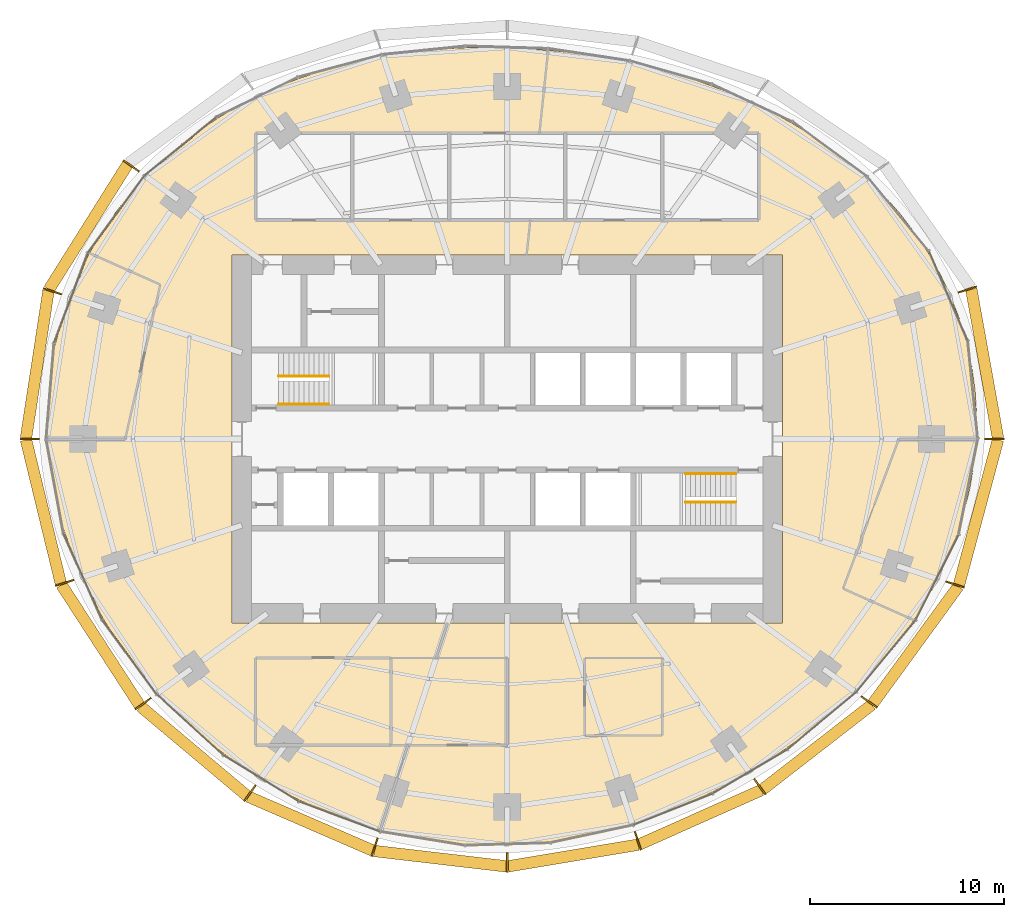
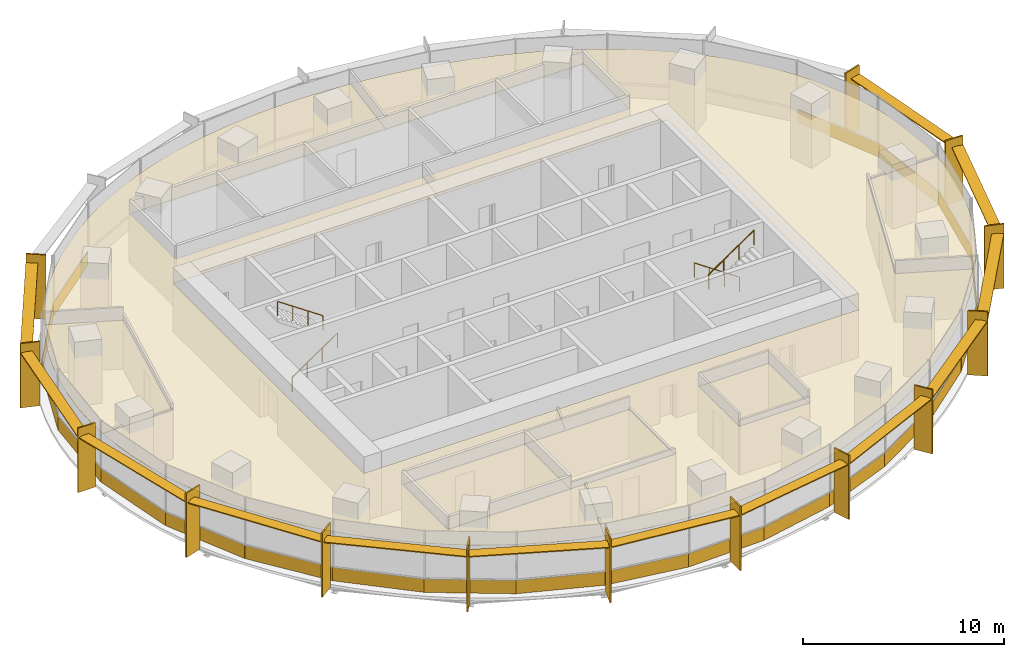
# One storey, part 13 of 14: 28 coverings, 27 shading devices, 4 railings.
"""IFC4 building model written with IfcOpenShell, lengths in metres."""

from ifc_helpers import new_model, si_unit, direction, frame, origin, origin_2d, place, context, subcontext, project, spatial, polyline, rectangle, circle, outline, extrude, material, layer, layer_set, type_object, element, save


model = new_model("IFC4")

# Units and contexts
model_context = context("Model", 3, precision=1e-05, world=origin(), true_north=direction((0.0, 1.0)))
body_context = subcontext(model_context, "Body", "Model", "MODEL_VIEW")
ifc_project = project(units=[si_unit("LENGTHUNIT", "METRE"), si_unit("AREAUNIT", "SQUARE_METRE"), si_unit("VOLUMEUNIT", "CUBIC_METRE"), si_unit("PLANEANGLEUNIT", "RADIAN"), si_unit("MASSUNIT", "GRAM", prefix="KILO")], contexts=[model_context])

# Site, building, storey
site_placement = place(None, origin())
site = spatial("IfcSite", under=ifc_project, at=site_placement, CompositionType="ELEMENT")
building_placement = place(site_placement, origin())
building = spatial("IfcBuilding", under=site, at=building_placement, Name="Marramba Exchange Tower", CompositionType="ELEMENT")
storey_placement = place(building_placement, frame((0.0, 0.0, 238.39990234375)))
storey = spatial("IfcBuildingStorey", under=building, at=storey_placement, Name="L58", CompositionType="ELEMENT", Elevation=238.39990234375)

# Shading devices
ifc_material_1 = material(Name="Aluminium blade, timber-look bronze finish", Category="wood")
ifc_layer_1 = layer(ifc_material_1, 0.080078125)
ifc_layer_set_1 = layer_set([ifc_layer_1], Name="Floor-edge blade 1000x80")
shading_device_type_1 = type_object("IfcShadingDeviceType", Name="Floor-edge blade 1000x80", PredefinedType="USERDEFINED", material=ifc_layer_set_1)
for number, where, z_axis, x_axis, name in (
    (1, (25.14404296875, 0.0, -0.159912109375), (0.0, 0.0, 1.0), (1.0, 0.0, 0.0), "Floor-edge blade FB1 L58 TC01"),
    (2, (23.757080078125, 7.718994140625, -0.159912109375), (0.0, 0.0, 1.0), (0.951056516295, 0.309016994375, 0.0), "Floor-edge blade FB1 L58 TC02"),
    (3, (-19.4140625, 14.105224609375, -0.159912109375), (0.0, 0.0, 1.0), (-0.809016994375, 0.587785252292, 0.0), "Floor-edge blade FB1 L58 TC09"),
    (4, (-23.488525390625, 7.6318359375, -0.159912109375), (0.0, 0.0, 1.0), (-0.951056516295, 0.309016994375, 0.0), "Floor-edge blade FB1 L58 TC10"),
    (5, (-24.656005859375, 0.0, -0.159912109375), (0.0, 0.0, 1.0), (-1.0, 0.0, 0.0), "Floor-edge blade FB1 L58 TC11"),
    (6, (-22.848876953125, -7.424072265625, -0.159912109375), (0.0, 0.0, 1.0), (-0.951056516295, -0.309016994375, 0.0), "Floor-edge blade FB1 L58 TC12"),
    (7, (-18.7998046875, -13.658935546875, -0.159912109375), (0.0, 0.0, 1.0), (-0.809016994375, -0.587785252292, 0.0), "Floor-edge blade FB1 L58 TC13"),
    (8, (-13.2841796875, -18.2841796875, -0.159912109375), (0.0, 0.0, 1.0), (-0.587785252292, -0.809016994375, 0.0), "Floor-edge blade FB1 L58 TC14"),
    (9, (-6.845703125, -21.069091796875, -0.159912109375), (0.0, 0.0, 1.0), (-0.309016994375, -0.951056516295, 0.0), "Floor-edge blade FB1 L58 TC15"),
    (10, (0.0, -21.86376953125, -0.159912109375), (0.0, 0.0, 1.0), (0.0, -1.0, 0.0), "Floor-edge blade FB1 L58 TC16"),
    (11, (6.739501953125, -20.741943359375, -0.159912109375), (0.0, 0.0, 1.0), (0.309016994375, -0.951056516295, 0.0), "Floor-edge blade FB1 L58 TC17"),
    (12, (13.0380859375, -17.9453125, -0.159912109375), (0.0, 0.0, 1.0), (0.587785252292, -0.809016994375, 0.0), "Floor-edge blade FB1 L58 TC18"),
    (13, (18.6845703125, -13.5751953125, -0.159912109375), (0.0, 0.0, 1.0), (0.809016994375, -0.587785252292, 0.0), "Floor-edge blade FB1 L58 TC19"),
    (14, (23.1171875, -7.51123046875, -0.159912109375), (0.0, 0.0, 1.0), (0.951056516295, -0.309016994375, 0.0), "Floor-edge blade FB1 L58 TC20"),
):
    element("IfcShadingDevice", number, at=place(storey_placement, frame(where, z_axis=z_axis, x_axis=x_axis)), inside=storey, type_object=shading_device_type_1, Name=name, ObjectType="FIN", PredefinedType="USERDEFINED", context=body_context, shape_type="SweptSolid", body=[
        extrude(rectangle(XDim=1.0, YDim=0.080078125, at=origin_2d()), origin(), (0.0, 0.0, 1.0), 3.89990234375),
    ])
ifc_material_2 = material(Name="Aluminium sunshade, bronze anodised", Category="aluminium")
ifc_layer_2 = layer(ifc_material_2, 0.06005859375)
ifc_layer_set_2 = layer_set([ifc_layer_2], Name="SUNSHADE blade 600x60")
shading_device_type_2 = type_object("IfcShadingDeviceType", Name="SUNSHADE blade 600x60", PredefinedType="USERDEFINED", material=ifc_layer_set_2)
shading_device_1_placement = place(storey_placement, frame((24.6455078125, 3.890380859375, 3.16015625), z_axis=(0.0, 0.0, 1.0), x_axis=(-0.176690623809, 0.984266439262, 0.0)))
element("IfcShadingDevice", 15, at=shading_device_1_placement, inside=storey, type_object=shading_device_type_2, Name="Sunshade SS1 L58 bay 01", ObjectType="SUNSHADE", PredefinedType="USERDEFINED", context=body_context, shape_type="SweptSolid", body=[
    extrude(rectangle(XDim=7.8251953125, YDim=0.60009765625, at=origin_2d()), origin(), (0.0, 0.0, 1.0), 0.06005859375),
])
shading_device_2_placement = place(storey_placement, frame((-21.62744140625, 10.958251953125, 3.16015625), z_axis=(0.0, 0.0, 1.0), x_axis=(-0.532082259983, -0.846692664792, 0.0)))
element("IfcShadingDevice", 16, at=shading_device_2_placement, inside=storey, type_object=shading_device_type_2, Name="Sunshade SS1 L58 bay 09", ObjectType="SUNSHADE", PredefinedType="USERDEFINED", context=body_context, shape_type="SweptSolid", body=[
    extrude(rectangle(XDim=7.631103515625, YDim=0.60009765625, at=origin_2d()), origin(), (0.0, 0.0, 1.0), 0.06005859375),
])
shading_device_3_placement = place(storey_placement, frame((-24.267333984375, 3.846923828125, 3.16015625), z_axis=(0.0, 0.0, 1.0), x_axis=(-0.151240669327, -0.988496970123, 0.0)))
element("IfcShadingDevice", 17, at=shading_device_3_placement, inside=storey, type_object=shading_device_type_2, Name="Sunshade SS1 L58 bay 10", ObjectType="SUNSHADE", PredefinedType="USERDEFINED", context=body_context, shape_type="SweptSolid", body=[
    extrude(rectangle(XDim=7.703369140625, YDim=0.60009765625, at=origin_2d()), origin(), (0.0, 0.0, 1.0), 0.06005859375),
])
shading_device_4_placement = place(storey_placement, frame((-23.947509765625, -3.742919921875, 3.16015625), z_axis=(0.0, 0.0, 1.0), x_axis=(0.235861488454, -0.971786683519, 0.0)))
element("IfcShadingDevice", 18, at=shading_device_4_placement, inside=storey, type_object=shading_device_type_2, Name="Sunshade SS1 L58 bay 11", ObjectType="SUNSHADE", PredefinedType="USERDEFINED", context=body_context, shape_type="SweptSolid", body=[
    extrude(rectangle(XDim=7.623291015625, YDim=0.60009765625, at=origin_2d()), origin(), (0.0, 0.0, 1.0), 0.06005859375),
])
shading_device_5_placement = place(storey_placement, frame((-21.000244140625, -10.631103515625, 3.16015625), z_axis=(0.0, 0.0, 1.0), x_axis=(0.543921771105, -0.839135928749, 0.0)))
element("IfcShadingDevice", 19, at=shading_device_5_placement, inside=storey, type_object=shading_device_type_2, Name="Sunshade SS1 L58 bay 12", ObjectType="SUNSHADE", PredefinedType="USERDEFINED", context=body_context, shape_type="SweptSolid", body=[
    extrude(rectangle(XDim=7.41650390625, YDim=0.60009765625, at=origin_2d()), origin(), (0.0, 0.0, 1.0), 0.06005859375),
])
shading_device_6_placement = place(storey_placement, frame((-16.181640625, -16.111083984375, 3.16015625), z_axis=(0.0, 0.0, 1.0), x_axis=(0.765761970568, -0.643124097225, 0.0)))
element("IfcShadingDevice", 20, at=shading_device_6_placement, inside=storey, type_object=shading_device_type_2, Name="Sunshade SS1 L58 bay 13", ObjectType="SUNSHADE", PredefinedType="USERDEFINED", context=body_context, shape_type="SweptSolid", body=[
    extrude(rectangle(XDim=7.1806640625, YDim=0.60009765625, at=origin_2d()), origin(), (0.0, 0.0, 1.0), 0.06005859375),
])
shading_device_7_placement = place(storey_placement, frame((-10.154541015625, -19.8525390625, 3.16015625), z_axis=(0.0, 0.0, 1.0), x_axis=(0.917589256742, -0.397529817639, 0.0)))
element("IfcShadingDevice", 21, at=shading_device_7_placement, inside=storey, type_object=shading_device_type_2, Name="Sunshade SS1 L58 bay 14", ObjectType="SUNSHADE", PredefinedType="USERDEFINED", context=body_context, shape_type="SweptSolid", body=[
    extrude(rectangle(XDim=6.997314453125, YDim=0.60009765625, at=origin_2d()), origin(), (0.0, 0.0, 1.0), 0.06005859375),
])
shading_device_8_placement = place(storey_placement, frame((-3.453857421875, -21.66162109375, 3.16015625), z_axis=(0.0, 0.0, 1.0), x_axis=(0.993288257497, -0.1156651958, 0.0)))
element("IfcShadingDevice", 22, at=shading_device_8_placement, inside=storey, type_object=shading_device_type_2, Name="Sunshade SS1 L58 bay 15", ObjectType="SUNSHADE", PredefinedType="USERDEFINED", context=body_context, shape_type="SweptSolid", body=[
    extrude(rectangle(XDim=6.874267578125, YDim=0.60009765625, at=origin_2d()), origin(), (0.0, 0.0, 1.0), 0.06005859375),
])
shading_device_9_placement = place(storey_placement, frame((3.400634765625, -21.498046875, 3.16015625), z_axis=(0.0, 0.0, 1.0), x_axis=(0.986439622954, 0.164124557168, 0.0)))
element("IfcShadingDevice", 23, at=shading_device_9_placement, inside=storey, type_object=shading_device_type_2, Name="Sunshade SS1 L58 bay 16", ObjectType="SUNSHADE", PredefinedType="USERDEFINED", context=body_context, shape_type="SweptSolid", body=[
    extrude(rectangle(XDim=6.814697265625, YDim=0.60009765625, at=origin_2d()), origin(), (0.0, 0.0, 1.0), 0.06005859375),
])
shading_device_10_placement = place(storey_placement, frame((9.978515625, -19.519775390625, 3.16015625), z_axis=(0.0, 0.0, 1.0), x_axis=(0.913771678576, 0.406228161792, 0.0)))
element("IfcShadingDevice", 24, at=shading_device_10_placement, inside=storey, type_object=shading_device_type_2, Name="Sunshade SS1 L58 bay 17", ObjectType="SUNSHADE", PredefinedType="USERDEFINED", context=body_context, shape_type="SweptSolid", body=[
    extrude(rectangle(XDim=6.8740234375, YDim=0.60009765625, at=origin_2d()), origin(), (0.0, 0.0, 1.0), 0.06005859375),
])
shading_device_11_placement = place(storey_placement, frame((16.0009765625, -15.89990234375, 3.16015625), z_axis=(0.0, 0.0, 1.0), x_axis=(0.790133082515, 0.612935324414, 0.0)))
element("IfcShadingDevice", 25, at=shading_device_11_placement, inside=storey, type_object=shading_device_type_2, Name="Sunshade SS1 L58 bay 18", ObjectType="SUNSHADE", PredefinedType="USERDEFINED", context=body_context, shape_type="SweptSolid", body=[
    extrude(rectangle(XDim=7.122314453125, YDim=0.60009765625, at=origin_2d()), origin(), (0.0, 0.0, 1.0), 0.06005859375),
])
shading_device_12_placement = place(storey_placement, frame((21.076904296875, -10.6328125, 3.16015625), z_axis=(0.0, 0.0, 1.0), x_axis=(0.589071758439, 0.808080728275, 0.0)))
element("IfcShadingDevice", 26, at=shading_device_12_placement, inside=storey, type_object=shading_device_type_2, Name="Sunshade SS1 L58 bay 19", ObjectType="SUNSHADE", PredefinedType="USERDEFINED", context=body_context, shape_type="SweptSolid", body=[
    extrude(rectangle(XDim=7.4931640625, YDim=0.60009765625, at=origin_2d()), origin(), (0.0, 0.0, 1.0), 0.06005859375),
])
shading_device_13_placement = place(storey_placement, frame((24.32568359375, -3.78662109375, 3.16015625), z_axis=(0.0, 0.0, 1.0), x_axis=(0.259692365654, 0.965691397508, 0.0)))
element("IfcShadingDevice", 27, at=shading_device_13_placement, inside=storey, type_object=shading_device_type_2, Name="Sunshade SS1 L58 bay 20", ObjectType="SUNSHADE", PredefinedType="USERDEFINED", context=body_context, shape_type="SweptSolid", body=[
    extrude(rectangle(XDim=7.76220703125, YDim=0.60009765625, at=origin_2d()), origin(), (0.0, 0.0, 1.0), 0.06005859375),
])

# Coverings
ifc_material_3 = material(Name="Aluminium spandrel panel, bronze anodised, insulated", Category="aluminium")
ifc_layer_3 = layer(ifc_material_3, 0.050048828125)
ifc_layer_set_3 = layer_set([ifc_layer_3], Name="Spandrel panel 800")
covering_type_1 = type_object("IfcCoveringType", Name="Spandrel panel 800", PredefinedType="CLADDING", material=ifc_layer_set_3)
covering_1_placement = place(storey_placement, frame((24.036376953125, 2.527099609375, 0.0), z_axis=(0.0, 0.0, 1.0), x_axis=(-0.101422478545, 0.994843445395, 0.0)))
element("IfcCovering", 28, at=covering_1_placement, inside=storey, type_object=covering_type_1, Name="Spandrel panel SP1 L58 F01", PredefinedType="CLADDING", context=body_context, shape_type="SweptSolid", body=[
    extrude(rectangle(XDim=5.08056640625, YDim=0.050048828125, at=origin_2d()), origin(), (0.0, 0.0, 1.0), 0.800048828125),
])
covering_2_placement = place(storey_placement, frame((22.77734375, 7.374755859375, 0.0), z_axis=(0.0, 0.0, 1.0), x_axis=(-0.396193349205, 0.918167103552, 0.0)))
element("IfcCovering", 29, at=covering_2_placement, inside=storey, type_object=covering_type_1, Name="Spandrel panel SP1 L58 F02", PredefinedType="CLADDING", context=body_context, shape_type="SweptSolid", body=[
    extrude(rectangle(XDim=5.0546875, YDim=0.050048828125, at=origin_2d()), origin(), (0.0, 0.0, 1.0), 0.800048828125),
])
covering_3_placement = place(storey_placement, frame((-16.855712890625, 15.1240234375, 0.0), z_axis=(0.0, 0.0, 1.0), x_axis=(-0.776432169123, -0.630200830491, 0.0)))
element("IfcCovering", 30, at=covering_3_placement, inside=storey, type_object=covering_type_1, Name="Spandrel panel SP1 L58 F12", PredefinedType="CLADDING", context=body_context, shape_type="SweptSolid", body=[
    extrude(rectangle(XDim=4.81884765625, YDim=0.050048828125, at=origin_2d()), origin(), (0.0, 0.0, 1.0), 0.800048828125),
])
covering_4_placement = place(storey_placement, frame((-20.184326171875, 11.62060546875, 0.0), z_axis=(0.0, 0.0, 1.0), x_axis=(-0.591962919465, -0.805965198987, 0.0)))
element("IfcCovering", 31, at=covering_4_placement, inside=storey, type_object=covering_type_1, Name="Spandrel panel SP1 L58 F13", PredefinedType="CLADDING", context=body_context, shape_type="SweptSolid", body=[
    extrude(rectangle(XDim=4.925537109375, YDim=0.050048828125, at=origin_2d()), origin(), (0.0, 0.0, 1.0), 0.800048828125),
])
covering_5_placement = place(storey_placement, frame((-22.518798828125, 7.30419921875, 0.0), z_axis=(0.0, 0.0, 1.0), x_axis=(-0.351951514464, -0.936018232443, 0.0)))
element("IfcCovering", 32, at=covering_5_placement, inside=storey, type_object=covering_type_1, Name="Spandrel panel SP1 L58 F14", PredefinedType="CLADDING", context=body_context, shape_type="SweptSolid", body=[
    extrude(rectangle(XDim=4.981689453125, YDim=0.050048828125, at=origin_2d()), origin(), (0.0, 0.0, 1.0), 0.800048828125),
])
covering_6_placement = place(storey_placement, frame((-23.600830078125, 2.486328125, 0.0), z_axis=(0.0, 0.0, 1.0), x_axis=(-0.082280881776, -0.996609179415, 0.0)))
element("IfcCovering", 33, at=covering_6_placement, inside=storey, type_object=covering_type_1, Name="Spandrel panel SP1 L58 F15", PredefinedType="CLADDING", context=body_context, shape_type="SweptSolid", body=[
    extrude(rectangle(XDim=4.98974609375, YDim=0.050048828125, at=origin_2d()), origin(), (0.0, 0.0, 1.0), 0.800048828125),
])
covering_7_placement = place(storey_placement, frame((-23.359619140625, -2.43505859375, 0.0), z_axis=(0.0, 0.0, 1.0), x_axis=(0.180327442841, -0.983606635479, 0.0)))
element("IfcCovering", 34, at=covering_7_placement, inside=storey, type_object=covering_type_1, Name="Spandrel panel SP1 L58 F16", PredefinedType="CLADDING", context=body_context, shape_type="SweptSolid", body=[
    extrude(rectangle(XDim=4.951416015625, YDim=0.050048828125, at=origin_2d()), origin(), (0.0, 0.0, 1.0), 0.800048828125),
])
covering_8_placement = place(storey_placement, frame((-21.920654296875, -7.093994140625, 0.0), z_axis=(0.0, 0.0, 1.0), x_axis=(0.407557582153, -0.913179509861, 0.0)))
element("IfcCovering", 35, at=covering_8_placement, inside=storey, type_object=covering_type_1, Name="Spandrel panel SP1 L58 F17", PredefinedType="CLADDING", context=body_context, shape_type="SweptSolid", body=[
    extrude(rectangle(XDim=4.870361328125, YDim=0.050048828125, at=origin_2d()), origin(), (0.0, 0.0, 1.0), 0.800048828125),
])
covering_9_placement = place(storey_placement, frame((-19.520263671875, -11.238525390625, 0.0), z_axis=(0.0, 0.0, 1.0), x_axis=(0.591223097085, -0.80650805915, 0.0)))
element("IfcCovering", 36, at=covering_9_placement, inside=storey, type_object=covering_type_1, Name="Spandrel panel SP1 L58 F18", PredefinedType="CLADDING", context=body_context, shape_type="SweptSolid", body=[
    extrude(rectangle(XDim=4.762939453125, YDim=0.050048828125, at=origin_2d()), origin(), (0.0, 0.0, 1.0), 0.800048828125),
])
covering_10_placement = place(storey_placement, frame((-16.396240234375, -14.73193359375, 0.0), z_axis=(0.0, 0.0, 1.0), x_axis=(0.737203259599, -0.67567103981, 0.0)))
element("IfcCovering", 37, at=covering_10_placement, inside=storey, type_object=covering_type_1, Name="Spandrel panel SP1 L58 F19", PredefinedType="CLADDING", context=body_context, shape_type="SweptSolid", body=[
    extrude(rectangle(XDim=4.65478515625, YDim=0.050048828125, at=origin_2d()), origin(), (0.0, 0.0, 1.0), 0.800048828125),
])
covering_11_placement = place(storey_placement, frame((-12.73583984375, -17.497802734375, 0.0), z_axis=(0.0, 0.0, 1.0), x_axis=(0.852301010692, -0.52305161043, 0.0)))
element("IfcCovering", 38, at=covering_11_placement, inside=storey, type_object=covering_type_1, Name="Spandrel panel SP1 L58 F20", PredefinedType="CLADDING", context=body_context, shape_type="SweptSolid", body=[
    extrude(rectangle(XDim=4.563232421875, YDim=0.050048828125, at=origin_2d()), origin(), (0.0, 0.0, 1.0), 0.800048828125),
])
covering_12_placement = place(storey_placement, frame((-8.687255859375, -19.47607421875, 0.0), z_axis=(0.0, 0.0, 1.0), x_axis=(0.936951581946, -0.349459200892, 0.0)))
element("IfcCovering", 39, at=covering_12_placement, inside=storey, type_object=covering_type_1, Name="Spandrel panel SP1 L58 F21", PredefinedType="CLADDING", context=body_context, shape_type="SweptSolid", body=[
    extrude(rectangle(XDim=4.491455078125, YDim=0.050048828125, at=origin_2d()), origin(), (0.0, 0.0, 1.0), 0.800048828125),
])
covering_13_placement = place(storey_placement, frame((-4.393798828125, -20.6181640625, 0.0), z_axis=(0.0, 0.0, 1.0), x_axis=(0.98693062179, -0.161145734582, 0.0)))
element("IfcCovering", 40, at=covering_13_placement, inside=storey, type_object=covering_type_1, Name="Spandrel panel SP1 L58 F22", PredefinedType="CLADDING", context=body_context, shape_type="SweptSolid", body=[
    extrude(rectangle(XDim=4.4365234375, YDim=0.050048828125, at=origin_2d()), origin(), (0.0, 0.0, 1.0), 0.800048828125),
])
covering_14_placement = place(storey_placement, frame((-0.0068359375, -20.9111328125, 0.0), z_axis=(0.0, 0.0, 1.0), x_axis=(0.99956791932, 0.02939344597, 0.0)))
element("IfcCovering", 41, at=covering_14_placement, inside=storey, type_object=covering_type_1, Name="Spandrel panel SP1 L58 F23", PredefinedType="CLADDING", context=body_context, shape_type="SweptSolid", body=[
    extrude(rectangle(XDim=4.3974609375, YDim=0.050048828125, at=origin_2d()), origin(), (0.0, 0.0, 1.0), 0.800048828125),
])
covering_15_placement = place(storey_placement, frame((4.333984375, -20.389892578125, 0.0), z_axis=(0.0, 0.0, 1.0), x_axis=(0.978058068956, 0.208332459664, 0.0)))
element("IfcCovering", 42, at=covering_15_placement, inside=storey, type_object=covering_type_1, Name="Spandrel panel SP1 L58 F24", PredefinedType="CLADDING", context=body_context, shape_type="SweptSolid", body=[
    extrude(rectangle(XDim=4.3818359375, YDim=0.050048828125, at=origin_2d()), origin(), (0.0, 0.0, 1.0), 0.800048828125),
])
covering_16_placement = place(storey_placement, frame((8.525390625, -19.124267578125, 0.0), z_axis=(0.0, 0.0, 1.0), x_axis=(0.93007301151, 0.367374731386, 0.0)))
element("IfcCovering", 43, at=covering_16_placement, inside=storey, type_object=covering_type_1, Name="Spandrel panel SP1 L58 F25", PredefinedType="CLADDING", context=body_context, shape_type="SweptSolid", body=[
    extrude(rectangle(XDim=4.405517578125, YDim=0.050048828125, at=origin_2d()), origin(), (0.0, 0.0, 1.0), 0.800048828125),
])
covering_17_placement = place(storey_placement, frame((12.50634765625, -17.175537109375, 0.0), z_axis=(0.0, 0.0, 1.0), x_axis=(0.861350829898, 0.508010578466, 0.0)))
element("IfcCovering", 44, at=covering_17_placement, inside=storey, type_object=covering_type_1, Name="Spandrel panel SP1 L58 F26", PredefinedType="CLADDING", context=body_context, shape_type="SweptSolid", body=[
    extrude(rectangle(XDim=4.486572265625, YDim=0.050048828125, at=origin_2d()), origin(), (0.0, 0.0, 1.0), 0.800048828125),
])
covering_18_placement = place(storey_placement, frame((16.2177734375, -14.5556640625, 0.0), z_axis=(0.0, 0.0, 1.0), x_axis=(0.768736803132, 0.639565264465, 0.0)))
element("IfcCovering", 45, at=covering_18_placement, inside=storey, type_object=covering_type_1, Name="Spandrel panel SP1 L58 F27", PredefinedType="CLADDING", context=body_context, shape_type="SweptSolid", body=[
    extrude(rectangle(XDim=4.628662109375, YDim=0.050048828125, at=origin_2d()), origin(), (0.0, 0.0, 1.0), 0.800048828125),
])
covering_19_placement = place(storey_placement, frame((19.529541015625, -11.2265625, 0.0), z_axis=(0.0, 0.0, 1.0), x_axis=(0.638149992226, 0.769912064733, 0.0)))
element("IfcCovering", 46, at=covering_19_placement, inside=storey, type_object=covering_type_1, Name="Spandrel panel SP1 L58 F28", PredefinedType="CLADDING", context=body_context, shape_type="SweptSolid", body=[
    extrude(rectangle(XDim=4.80322265625, YDim=0.050048828125, at=origin_2d()), origin(), (0.0, 0.0, 1.0), 0.800048828125),
])
covering_20_placement = place(storey_placement, frame((22.17919921875, -7.16455078125, 0.0), z_axis=(0.0, 0.0, 1.0), x_axis=(0.450673091404, 0.892689063832, 0.0)))
element("IfcCovering", 47, at=covering_20_placement, inside=storey, type_object=covering_type_1, Name="Spandrel panel SP1 L58 F29", PredefinedType="CLADDING", context=body_context, shape_type="SweptSolid", body=[
    extrude(rectangle(XDim=4.957763671875, YDim=0.050048828125, at=origin_2d()), origin(), (0.0, 0.0, 1.0), 0.800048828125),
])
covering_21_placement = place(storey_placement, frame((23.795166015625, -2.475830078125, 0.0), z_axis=(0.0, 0.0, 1.0), x_axis=(0.197495401381, 0.980303813332, 0.0)))
element("IfcCovering", 48, at=covering_21_placement, inside=storey, type_object=covering_type_1, Name="Spandrel panel SP1 L58 F30", PredefinedType="CLADDING", context=body_context, shape_type="SweptSolid", body=[
    extrude(rectangle(XDim=5.05126953125, YDim=0.050048828125, at=origin_2d()), origin(), (0.0, 0.0, 1.0), 0.800048828125),
])

# Railings
ifc_material_4 = material(Name="Stainless steel handrail", Category="steel")
railing_type = type_object("IfcRailingType", Name="Stair handrail 900", PredefinedType="HANDRAIL", material=ifc_material_4)
railing_1_placement = place(storey_placement, frame((-11.800048828125, 1.800048828125, 0.177490234375)))
element("IfcRailing", 49, at=railing_1_placement, inside=storey, type_object=railing_type, Name="Handrail HR1 ST1 L58 flight 1", PredefinedType="HANDRAIL", context=body_context, shape_type="SweptSolid", body=[
    extrude(circle(Radius=0.02392578125, at=origin_2d()), frame((0.0, 0.0, 0.8759765625), z_axis=(0.826240473404, 0.0, 0.563317565952), x_axis=(0.0, 1.0, 0.0)), (0.0, 0.0, 1.0), 3.14697265625),
    extrude(circle(Radius=0.02099609375, at=origin_2d()), origin(), (0.0, 0.0, 1.0), 0.851806640625),
    extrude(circle(Radius=0.02099609375, at=origin_2d()), frame((0.86669921875, 0.0, 0.5908203125)), (0.0, 0.0, 1.0), 0.851806640625),
    extrude(circle(Radius=0.02099609375, at=origin_2d()), frame((1.7333984375, 0.0, 1.181884765625)), (0.0, 0.0, 1.0), 0.851806640625),
    extrude(circle(Radius=0.02099609375, at=origin_2d()), frame((2.60009765625, 0.0, 1.772705078125)), (0.0, 0.0, 1.0), 0.851806640625),
])
for number, where, name in (
    (50, (-9.199951171875, 3.25, 2.12744140625), "Handrail HR1 ST1 L58 flight 2"),
    (51, (11.800048828125, -1.800048828125, 0.177490234375), "Handrail HR1 ST2 L58 flight 1"),
):
    element("IfcRailing", number, at=place(storey_placement, frame(where)), inside=storey, type_object=railing_type, Name=name, PredefinedType="HANDRAIL", context=body_context, shape_type="SweptSolid", body=[
        extrude(circle(Radius=0.02392578125, at=origin_2d()), frame((0.0, 0.0, 0.8759765625), z_axis=(-0.826240473404, 0.0, 0.563317565952), x_axis=(0.0, -1.0, 0.0)), (0.0, 0.0, 1.0), 3.14697265625),
        extrude(circle(Radius=0.02099609375, at=origin_2d()), origin(), (0.0, 0.0, 1.0), 0.851806640625),
        extrude(circle(Radius=0.02099609375, at=origin_2d()), frame((-0.86669921875, 0.0, 0.5908203125)), (0.0, 0.0, 1.0), 0.851806640625),
        extrude(circle(Radius=0.02099609375, at=origin_2d()), frame((-1.7333984375, 0.0, 1.181884765625)), (0.0, 0.0, 1.0), 0.851806640625),
        extrude(circle(Radius=0.02099609375, at=origin_2d()), frame((-2.60009765625, 0.0, 1.772705078125)), (0.0, 0.0, 1.0), 0.851806640625),
    ])
railing_2_placement = place(storey_placement, frame((9.199951171875, -3.25, 2.12744140625)))
element("IfcRailing", 52, at=railing_2_placement, inside=storey, type_object=railing_type, Name="Handrail HR1 ST2 L58 flight 2", PredefinedType="HANDRAIL", context=body_context, shape_type="SweptSolid", body=[
    extrude(circle(Radius=0.02392578125, at=origin_2d()), frame((0.0, 0.0, 0.8759765625), z_axis=(0.826240473404, 0.0, 0.563317565952), x_axis=(0.0, 1.0, 0.0)), (0.0, 0.0, 1.0), 3.14697265625),
    extrude(circle(Radius=0.02099609375, at=origin_2d()), origin(), (0.0, 0.0, 1.0), 0.851806640625),
    extrude(circle(Radius=0.02099609375, at=origin_2d()), frame((0.86669921875, 0.0, 0.5908203125)), (0.0, 0.0, 1.0), 0.851806640625),
    extrude(circle(Radius=0.02099609375, at=origin_2d()), frame((1.7333984375, 0.0, 1.181884765625)), (0.0, 0.0, 1.0), 0.851806640625),
    extrude(circle(Radius=0.02099609375, at=origin_2d()), frame((2.60009765625, 0.0, 1.772705078125)), (0.0, 0.0, 1.0), 0.851806640625),
])

# Coverings
ifc_material_5 = material(Name="Mineral fibre ceiling tiles", Category="gypsum")
ifc_layer_4 = layer(ifc_material_5, 0.02001953125)
ifc_layer_set_4 = layer_set([ifc_layer_4], Name="Suspended ceiling 20")
covering_type_2 = type_object("IfcCoveringType", Name="Suspended ceiling 20", PredefinedType="CEILING", material=ifc_layer_set_4)
covering_22_placement = place(storey_placement, frame((0.0, 0.0, 2.900146484375)))
element("IfcCovering", 53, at=covering_22_placement, inside=storey, type_object=covering_type_2, Name="Ceiling CL1 L58 Client Advisory Office", PredefinedType="CEILING", context=body_context, shape_type="SweptSolid", body=[
    extrude(outline(polyline([(14.199951171875, 9.5), (0.99853515625, 9.5), (1.187744140625, 11.300048828125), (3.0, 11.300048828125), (8.0, 11.300048828125), (13.0, 11.300048828125), (13.0, 15.800048828125), (8.0, 15.800048828125), (3.0, 15.800048828125), (1.66064453125, 15.800048828125), (2.1103515625, 20.077880859375), (3.16259765625, 19.96728515625), (4.214111328125, 19.82568359375), (5.265869140625, 19.65234375), (6.318359375, 19.445556640625), (7.371826171875, 19.2041015625), (8.426025390625, 18.92529296875), (9.480712890625, 18.60693359375), (10.5341796875, 18.245849609375), (11.584716796875, 17.839111328125), (12.6298828125, 17.383544921875), (13.666259765625, 16.87646484375), (14.689453125, 16.314453125), (15.695068359375, 15.695068359375), (16.67724609375, 15.016357421875), (17.6298828125, 14.276611328125), (18.54638671875, 13.474853515625), (19.41943359375, 12.611083984375), (20.24169921875, 11.6865234375), (21.00537109375, 10.70263671875), (21.702880859375, 9.662841796875), (22.32763671875, 8.57080078125), (22.87255859375, 7.431640625), (23.331787109375, 6.251708984375), (23.700439453125, 5.03759765625), (23.974853515625, 3.797119140625), (24.15234375, 2.53857421875), (24.23193359375, 1.27001953125), (24.214111328125, 0.0), (20.214111328125, 0.0), (17.334716796875, -7.718017578125), (20.989013671875, -9.344970703125), (20.286865234375, -10.336669921875), (19.539794921875, -11.28125), (18.753173828125, -12.178466796875), (17.93212890625, -13.028564453125), (17.08154296875, -13.832275390625), (16.204833984375, -14.5908203125), (15.30517578125, -15.30517578125), (14.38525390625, -15.976318359375), (13.44677734375, -16.60546875), (12.491455078125, -17.193115234375), (11.520263671875, -17.73974609375), (10.5341796875, -18.245849609375), (9.53369140625, -18.711181640625), (8.51953125, -19.13525390625), (7.4921875, -19.517578125), (6.4521484375, -19.857421875), (5.400146484375, -20.153564453125), (4.337158203125, -20.404541015625), (3.26416015625, -20.609619140625), (2.1826171875, -20.766845703125), (1.093994140625, -20.875244140625), (0.0, -20.93359375), (-1.097412109375, -20.94091796875), (-2.1962890625, -20.89599609375), (-3.294189453125, -20.79833984375), (-4.388916015625, -20.6474609375), (-5.477783203125, -20.44287109375), (-6.558349609375, -20.184814453125), (-5.1337890625, -15.800048828125), (0.0, -15.800048828125), (0.0, -11.300048828125), (-3.671630859375, -11.300048828125), (-3.086669921875, -9.5), (14.199951171875, -9.5), (14.199951171875, 9.5)]), holes=[polyline([(4.0, -11.300048828125), (4.0, -15.300048828125), (8.0, -15.300048828125), (8.0, -11.300048828125), (4.0, -11.300048828125)])]), origin(), (0.0, 0.0, 1.0), 0.02001953125),
])
covering_23_placement = place(storey_placement, frame((0.0, 0.0, 2.900146484375)))
element("IfcCovering", 54, at=covering_23_placement, inside=storey, type_object=covering_type_2, Name="Ceiling CL1 L58 Transaction Office", PredefinedType="CEILING", context=body_context, shape_type="SweptSolid", body=[
    extrude(outline(polyline([(-14.199951171875, -9.5), (-3.086669921875, -9.5), (-3.671630859375, -11.300048828125), (-6.0, -11.300048828125), (-13.0, -11.300048828125), (-13.0, -15.800048828125), (-6.0, -15.800048828125), (-5.1337890625, -15.800048828125), (-6.558349609375, -20.184814453125), (-7.62841796875, -19.873046875), (-8.685546875, -19.50830078125), (-9.727294921875, -19.091064453125), (-10.75146484375, -18.621826171875), (-11.755615234375, -18.101806640625), (-12.737548828125, -17.53173828125), (-13.6953125, -16.912353515625), (-14.626953125, -16.2451171875), (-15.5302734375, -15.5302734375), (-16.403076171875, -14.769287109375), (-17.242919921875, -13.962890625), (-18.04736328125, -13.1123046875), (-18.81396484375, -12.218017578125), (-19.539794921875, -11.28125), (-20.22119140625, -10.30322265625), (-20.85498046875, -9.285400390625), (-21.4375, -8.22900390625), (-21.96435546875, -7.13671875), (-22.431640625, -6.010498046875), (-22.8349609375, -4.853759765625), (-23.169921875, -3.669677734375), (-23.432373046875, -2.462890625), (-23.618896484375, -1.23779296875), (-23.72607421875, 0.0), (-19.72607421875, 0.0), (-17.914794921875, 7.976318359375), (-21.569091796875, 9.603271484375), (-20.939697265625, 10.669189453125), (-20.24169921875, 11.6865234375), (-19.48046875, 12.650634765625), (-18.66162109375, 13.55859375), (-17.79150390625, 14.4072265625), (-16.87548828125, 15.19482421875), (-15.920166015625, 15.920166015625), (-14.931396484375, 16.5830078125), (-13.914794921875, 17.183349609375), (-12.8759765625, 17.722412109375), (-11.820068359375, 18.201171875), (-10.75146484375, 18.621826171875), (-9.67431640625, 18.98681640625), (-8.59228515625, 19.29833984375), (-7.50830078125, 19.559326171875), (-6.424560546875, 19.77294921875), (-5.34326171875, 19.941650390625), (-4.265625, 20.068603515625), (-3.1923828125, 20.15625), (-2.123779296875, 20.20703125), (-1.059814453125, 20.22314453125), (0.0, 20.206298828125), (1.056396484375, 20.15771484375), (2.1103515625, 20.077880859375), (1.66064453125, 15.800048828125), (-3.0, 15.800048828125), (-8.0, 15.800048828125), (-13.0, 15.800048828125), (-13.0, 11.300048828125), (-8.0, 11.300048828125), (-3.0, 11.300048828125), (1.187744140625, 11.300048828125), (0.99853515625, 9.5), (-14.199951171875, 9.5), (-14.199951171875, -9.5)])), origin(), (0.0, 0.0, 1.0), 0.02001953125),
])
covering_24_placement = place(storey_placement, frame((0.0, 0.0, 2.900146484375)))
element("IfcCovering", 55, at=covering_24_placement, inside=storey, type_object=covering_type_2, Name="Ceiling CL1 L58 Office 1", PredefinedType="CEILING", context=body_context, shape_type="SweptSolid", body=[
    extrude(outline(polyline([(24.10009765625, -1.262939453125), (23.89306640625, -2.51123046875), (23.800048828125, -2.897705078125), (23.597412109375, -3.737548828125), (23.35009765625, -4.518310546875), (23.218017578125, -4.935302734375), (22.760986328125, -6.098876953125), (22.62744140625, -6.383544921875), (22.23291015625, -7.223876953125), (21.7080078125, -8.18212890625), (21.639892578125, -8.306884765625), (20.989013671875, -9.344970703125), (17.334716796875, -7.718017578125), (20.214111328125, 0.0), (24.214111328125, 0.0), (24.10009765625, -1.262939453125)])), origin(), (0.0, 0.0, 1.0), 0.02001953125),
])
covering_25_placement = place(storey_placement, frame((0.0, 0.0, 2.900146484375)))
element("IfcCovering", 56, at=covering_25_placement, inside=storey, type_object=covering_type_2, Name="Ceiling CL1 L58 Office 2", PredefinedType="CEILING", context=body_context, shape_type="SweptSolid", body=[
    extrude(outline(polyline([(-23.7509765625, 1.24462890625), (-23.691650390625, 2.489990234375), (-23.547119140625, 3.7294921875), (-23.406494140625, 4.47998046875), (-23.317138671875, 4.956298828125), (-23.1357421875, 5.652099609375), (-23.002197265625, 6.163330078125), (-22.889404296875, 6.49853515625), (-22.604248046875, 7.344482421875), (-22.213623046875, 8.281005859375), (-22.125244140625, 8.4931640625), (-22.05029296875, 8.642822265625), (-21.569091796875, 9.603271484375), (-17.914794921875, 7.976318359375), (-19.72607421875, 0.0), (-23.72607421875, 0.0), (-23.7509765625, 1.24462890625)])), origin(), (0.0, 0.0, 1.0), 0.02001953125),
])
covering_26_placement = place(storey_placement, frame((0.0, 0.0, 2.900146484375)))
element("IfcCovering", 57, at=covering_26_placement, inside=storey, type_object=covering_type_2, Name="Ceiling CL1 L58 Meeting Room 4", PredefinedType="CEILING", context=body_context, shape_type="SweptSolid", body=[
    extrude(outline(polyline([(-6.0, -15.800048828125), (-13.0, -15.800048828125), (-13.0, -11.300048828125), (-6.0, -11.300048828125), (-6.0, -15.800048828125)])), origin(), (0.0, 0.0, 1.0), 0.02001953125),
])
covering_27_placement = place(storey_placement, frame((0.0, 0.0, 2.900146484375)))
element("IfcCovering", 58, at=covering_27_placement, inside=storey, type_object=covering_type_2, Name="Ceiling CL1 L58 Pantry", PredefinedType="CEILING", context=body_context, shape_type="SweptSolid", body=[
    extrude(outline(polyline([(0.0, -11.300048828125), (0.0, -15.800048828125), (-6.0, -15.800048828125), (-6.0, -11.300048828125), (0.0, -11.300048828125)])), origin(), (0.0, 0.0, 1.0), 0.02001953125),
])
covering_28_placement = place(storey_placement, frame((0.0, 0.0, 2.900146484375)))
element("IfcCovering", 59, at=covering_28_placement, inside=storey, type_object=covering_type_2, Name="Ceiling CL1 L58 Print Room", PredefinedType="CEILING", context=body_context, shape_type="SweptSolid", body=[
    extrude(outline(polyline([(8.0, -15.300048828125), (4.0, -15.300048828125), (4.0, -11.300048828125), (8.0, -11.300048828125), (8.0, -15.300048828125)])), origin(), (0.0, 0.0, 1.0), 0.02001953125),
])

save(model, "model.ifc")
